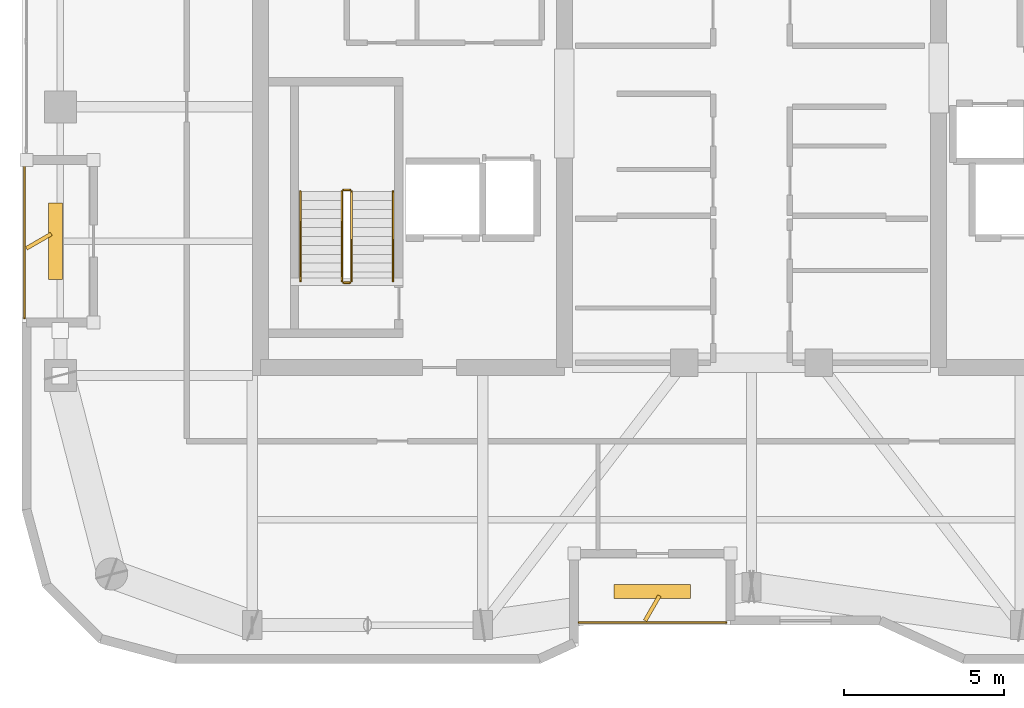
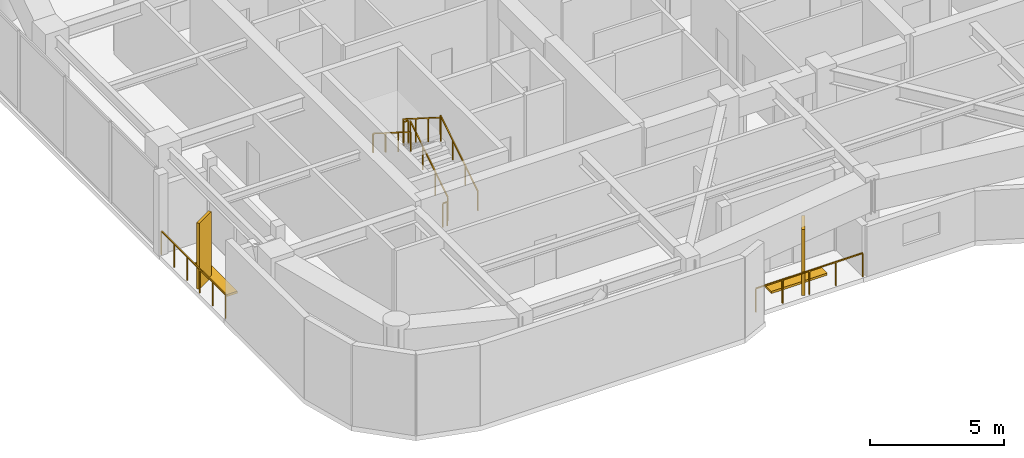
# One storey, part 14 of 15: 8 railings, 4 shading devices.
"""IFC4 building model written with IfcOpenShell, lengths in metres."""

from ifc_helpers import new_model, si_unit, direction, frame, origin, origin_2d, place, context, subcontext, project, spatial, rectangle, extrude, material, type_object, element, save


model = new_model("IFC4")

# Units and contexts
model_context = context("Model", 3, precision=1e-05, world=origin(), true_north=direction((0.0, 1.0)))
body_context = subcontext(model_context, "Body", "Model", "MODEL_VIEW")
ifc_project = project(units=[si_unit("LENGTHUNIT", "METRE"), si_unit("AREAUNIT", "SQUARE_METRE"), si_unit("VOLUMEUNIT", "CUBIC_METRE"), si_unit("PLANEANGLEUNIT", "RADIAN"), si_unit("MASSUNIT", "GRAM", prefix="KILO")], contexts=[model_context])

# Site, building, storey
site_placement = place(None, origin())
site = spatial("IfcSite", under=ifc_project, at=site_placement, CompositionType="ELEMENT")
building_placement = place(site_placement, origin())
building = spatial("IfcBuilding", under=site, at=building_placement, Name="Kiyonajd Concourse Tower", CompositionType="ELEMENT")
storey_placement = place(building_placement, frame((0.0, 0.0, 274.5)))
storey = spatial("IfcBuildingStorey", under=building, at=storey_placement, Name="L69", CompositionType="ELEMENT", Elevation=274.5)

# Railings
ifc_material_1 = material(Name="Thermally Broken Anodised Aluminium", Category="aluminium")
railing_type_1 = type_object("IfcRailingType", Name="RL-GRD-LOG", PredefinedType="GUARDRAIL", material=ifc_material_1)
railing_1_placement = place(storey_placement, frame((42.60009765625, 19.8798828125, 0.0)))
element("IfcRailing", 1, at=railing_1_placement, inside=storey, type_object=railing_type_1, Name="L69 Engawa Loggia Perimeter Guard LOG-S", PredefinedType="GUARDRAIL", context=body_context, shape_type="SweptSolid", body=[
    extrude(rectangle(XDim=0.048095703125, YDim=0.048095703125, at=origin_2d()), frame((0.0, 0.0, 1.076171875), z_axis=(1.0, 0.0, 0.0), x_axis=(0.0, 1.0, 0.0)), (0.0, 0.0, 1.0), 4.599853515625),
    extrude(rectangle(XDim=0.0419921875, YDim=0.0419921875, at=origin_2d()), origin(), (0.0, 0.0, 1.0), 1.052001953125),
    extrude(rectangle(XDim=0.0419921875, YDim=0.0419921875, at=origin_2d()), frame((1.14990234375, 0.0, 0.0)), (0.0, 0.0, 1.0), 1.052001953125),
    extrude(rectangle(XDim=0.0419921875, YDim=0.0419921875, at=origin_2d()), frame((2.2998046875, 0.0, 0.0)), (0.0, 0.0, 1.0), 1.052001953125),
    extrude(rectangle(XDim=0.0419921875, YDim=0.0419921875, at=origin_2d()), frame((3.449951171875, 0.0, 0.0)), (0.0, 0.0, 1.0), 1.052001953125),
    extrude(rectangle(XDim=0.0419921875, YDim=0.0419921875, at=origin_2d()), frame((4.599853515625, 0.0, 0.0)), (0.0, 0.0, 1.0), 1.052001953125),
])
railing_2_placement = place(storey_placement, frame((25.280029296875, 34.199951171875, 0.0)))
element("IfcRailing", 2, at=railing_2_placement, inside=storey, type_object=railing_type_1, Name="L69 Engawa Loggia Perimeter Guard LOG-W", PredefinedType="GUARDRAIL", context=body_context, shape_type="SweptSolid", body=[
    extrude(rectangle(XDim=0.048095703125, YDim=0.048095703125, at=origin_2d()), frame((0.0, 0.0, 1.076171875), z_axis=(0.0, -1.0, 0.0), x_axis=(1.0, 0.0, 0.0)), (0.0, 0.0, 1.0), 4.800048828125),
    extrude(rectangle(XDim=0.0419921875, YDim=0.0419921875, at=origin_2d()), origin(), (0.0, 0.0, 1.0), 1.052001953125),
    extrude(rectangle(XDim=0.0419921875, YDim=0.0419921875, at=origin_2d()), frame((0.0, -0.9599609375, 0.0)), (0.0, 0.0, 1.0), 1.052001953125),
    extrude(rectangle(XDim=0.0419921875, YDim=0.0419921875, at=origin_2d()), frame((0.0, -1.919921875, 0.0)), (0.0, 0.0, 1.0), 1.052001953125),
    extrude(rectangle(XDim=0.0419921875, YDim=0.0419921875, at=origin_2d()), frame((0.0, -2.880126953125, 0.0)), (0.0, 0.0, 1.0), 1.052001953125),
    extrude(rectangle(XDim=0.0419921875, YDim=0.0419921875, at=origin_2d()), frame((0.0, -3.840087890625, 0.0)), (0.0, 0.0, 1.0), 1.052001953125),
    extrude(rectangle(XDim=0.0419921875, YDim=0.0419921875, at=origin_2d()), frame((0.0, -4.800048828125, 0.0)), (0.0, 0.0, 1.0), 1.052001953125),
])
ifc_material_2 = material(Name="Steel ASTM A500 Grade C", Category="steel")
railing_type_2 = type_object("IfcRailingType", Name="RL-GRD-STR", PredefinedType="GUARDRAIL", material=ifc_material_2)
railing_3_placement = place(storey_placement, frame((35.5, 30.550048828125, 0.17724609375)))
element("IfcRailing", 3, at=railing_3_placement, inside=storey, type_object=railing_type_2, Name="L69 ST1 stair guard 1", PredefinedType="GUARDRAIL", context=body_context, shape_type="SweptSolid", body=[
    extrude(rectangle(XDim=0.048095703125, YDim=0.048095703125, at=origin_2d()), frame((0.0, 0.0, 1.076171875), z_axis=(0.0, 0.844908973607, 0.534910110503), x_axis=(-1.0, 0.0, 0.0)), (0.0, 0.0, 1.0), 3.31396484375),
    extrude(rectangle(XDim=0.0419921875, YDim=0.0419921875, at=origin_2d()), origin(), (0.0, 0.0, 1.0), 1.052001953125),
    extrude(rectangle(XDim=0.0419921875, YDim=0.0419921875, at=origin_2d()), frame((0.0, 0.933349609375, 0.5908203125)), (0.0, 0.0, 1.0), 1.052001953125),
    extrude(rectangle(XDim=0.0419921875, YDim=0.0419921875, at=origin_2d()), frame((0.0, 1.86669921875, 1.181884765625)), (0.0, 0.0, 1.0), 1.052001953125),
    extrude(rectangle(XDim=0.0419921875, YDim=0.0419921875, at=origin_2d()), frame((0.0, 2.800048828125, 1.772705078125)), (0.0, 0.0, 1.0), 1.052001953125),
])
railing_4_placement = place(storey_placement, frame((35.449951171875, 33.39990234375, 1.949951171875)))
element("IfcRailing", 4, at=railing_4_placement, inside=storey, type_object=railing_type_2, Name="L69 ST1 stair guard 2", PredefinedType="GUARDRAIL", context=body_context, shape_type="SweptSolid", body=[
    extrude(rectangle(XDim=0.048095703125, YDim=0.048095703125, at=origin_2d()), frame((0.0, 0.0, 1.076171875), z_axis=(-1.0, 0.0, 0.0), x_axis=(0.0, -1.0, 0.0)), (0.0, 0.0, 1.0), 0.199951171875),
    extrude(rectangle(XDim=0.0419921875, YDim=0.0419921875, at=origin_2d()), origin(), (0.0, 0.0, 1.0), 1.052001953125),
    extrude(rectangle(XDim=0.0419921875, YDim=0.0419921875, at=origin_2d()), frame((-0.199951171875, 0.0, 0.0)), (0.0, 0.0, 1.0), 1.052001953125),
])
railing_5_placement = place(storey_placement, frame((35.199951171875, 33.35009765625, 2.127197265625)))
element("IfcRailing", 5, at=railing_5_placement, inside=storey, type_object=railing_type_2, Name="L69 ST1 stair guard 3", PredefinedType="GUARDRAIL", context=body_context, shape_type="SweptSolid", body=[
    extrude(rectangle(XDim=0.048095703125, YDim=0.048095703125, at=origin_2d()), frame((0.0, 0.0, 1.076171875), z_axis=(0.0, -0.844908973607, 0.534910110503), x_axis=(1.0, 0.0, 0.0)), (0.0, 0.0, 1.0), 3.31396484375),
    extrude(rectangle(XDim=0.0419921875, YDim=0.0419921875, at=origin_2d()), origin(), (0.0, 0.0, 1.0), 1.052001953125),
    extrude(rectangle(XDim=0.0419921875, YDim=0.0419921875, at=origin_2d()), frame((0.0, -0.933349609375, 0.5908203125)), (0.0, 0.0, 1.0), 1.052001953125),
    extrude(rectangle(XDim=0.0419921875, YDim=0.0419921875, at=origin_2d()), frame((0.0, -1.86669921875, 1.181884765625)), (0.0, 0.0, 1.0), 1.052001953125),
    extrude(rectangle(XDim=0.0419921875, YDim=0.0419921875, at=origin_2d()), frame((0.0, -2.800048828125, 1.772705078125)), (0.0, 0.0, 1.0), 1.052001953125),
])
railing_6_placement = place(storey_placement, frame((35.449951171875, 30.5, 0.0)))
element("IfcRailing", 6, at=railing_6_placement, inside=storey, type_object=railing_type_2, Name="L69 ST1 stair guard 4", PredefinedType="GUARDRAIL", context=body_context, shape_type="SweptSolid", body=[
    extrude(rectangle(XDim=0.048095703125, YDim=0.048095703125, at=origin_2d()), frame((0.0, 0.0, 1.076171875), z_axis=(-1.0, 0.0, 0.0), x_axis=(0.0, -1.0, 0.0)), (0.0, 0.0, 1.0), 0.199951171875),
    extrude(rectangle(XDim=0.0419921875, YDim=0.0419921875, at=origin_2d()), origin(), (0.0, 0.0, 1.0), 1.052001953125),
    extrude(rectangle(XDim=0.0419921875, YDim=0.0419921875, at=origin_2d()), frame((-0.199951171875, 0.0, 0.0)), (0.0, 0.0, 1.0), 1.052001953125),
])
ifc_material_3 = material(Name="Brushed Stainless Steel Cab Assembly", Category="steel")
railing_type_3 = type_object("IfcRailingType", Name="RL-HND-900", PredefinedType="HANDRAIL", material=ifc_material_3)
railing_7_placement = place(storey_placement, frame((36.800048828125, 30.550048828125, 0.17724609375)))
element("IfcRailing", 7, at=railing_7_placement, inside=storey, type_object=railing_type_3, Name="L69 ST1 stair handrail 1", PredefinedType="HANDRAIL", context=body_context, shape_type="SweptSolid", body=[
    extrude(rectangle(XDim=0.048095703125, YDim=0.048095703125, at=origin_2d()), frame((0.0, 0.0, 0.8759765625), z_axis=(0.0, 0.844908973607, 0.534910110503), x_axis=(-1.0, 0.0, 0.0)), (0.0, 0.0, 1.0), 3.31396484375),
    extrude(rectangle(XDim=0.0419921875, YDim=0.0419921875, at=origin_2d()), origin(), (0.0, 0.0, 1.0), 0.851806640625),
    extrude(rectangle(XDim=0.0419921875, YDim=0.0419921875, at=origin_2d()), frame((0.0, 0.933349609375, 0.5908203125)), (0.0, 0.0, 1.0), 0.851806640625),
    extrude(rectangle(XDim=0.0419921875, YDim=0.0419921875, at=origin_2d()), frame((0.0, 1.86669921875, 1.181884765625)), (0.0, 0.0, 1.0), 0.851806640625),
    extrude(rectangle(XDim=0.0419921875, YDim=0.0419921875, at=origin_2d()), frame((0.0, 2.800048828125, 1.772705078125)), (0.0, 0.0, 1.0), 0.851806640625),
])
railing_8_placement = place(storey_placement, frame((33.89990234375, 33.35009765625, 2.127197265625)))
element("IfcRailing", 8, at=railing_8_placement, inside=storey, type_object=railing_type_3, Name="L69 ST1 stair handrail 2", PredefinedType="HANDRAIL", context=body_context, shape_type="SweptSolid", body=[
    extrude(rectangle(XDim=0.048095703125, YDim=0.048095703125, at=origin_2d()), frame((0.0, 0.0, 0.8759765625), z_axis=(0.0, -0.844908973607, 0.534910110503), x_axis=(1.0, 0.0, 0.0)), (0.0, 0.0, 1.0), 3.31396484375),
    extrude(rectangle(XDim=0.0419921875, YDim=0.0419921875, at=origin_2d()), origin(), (0.0, 0.0, 1.0), 0.851806640625),
    extrude(rectangle(XDim=0.0419921875, YDim=0.0419921875, at=origin_2d()), frame((0.0, -0.933349609375, 0.5908203125)), (0.0, 0.0, 1.0), 0.851806640625),
    extrude(rectangle(XDim=0.0419921875, YDim=0.0419921875, at=origin_2d()), frame((0.0, -1.86669921875, 1.181884765625)), (0.0, 0.0, 1.0), 0.851806640625),
    extrude(rectangle(XDim=0.0419921875, YDim=0.0419921875, at=origin_2d()), frame((0.0, -2.800048828125, 1.772705078125)), (0.0, 0.0, 1.0), 0.851806640625),
])

# Shading devices
ifc_material_4 = material(Name="Precast concrete C50/60", Category="concrete")
shading_device_type_1 = type_object("IfcShadingDeviceType", Name="SH-FIN-900", PredefinedType="USERDEFINED", material=ifc_material_4)
for number, where, z_axis, x_axis, name in (
    (9, (44.89990234375, 20.330078125, 0.0), (0.0, 0.0, 1.0), (0.5, 0.866025403784, 0.0), "L69 Angled Koshi Solar Fin LOG-S"),
    (10, (25.72998046875, 31.800048828125, 0.0), (0.0, 0.0, 1.0), (0.866025403784, 0.5, 0.0), "L69 Angled Koshi Solar Fin LOG-W"),
):
    element("IfcShadingDevice", number, at=place(storey_placement, frame(where, z_axis=z_axis, x_axis=x_axis)), inside=storey, type_object=shading_device_type_1, Name=name, ObjectType="FIN", PredefinedType="USERDEFINED", context=body_context, shape_type="SweptSolid", body=[
        extrude(rectangle(XDim=0.89990234375, YDim=0.1201171875, at=origin_2d()), origin(), (0.0, 0.0, 1.0), 3.0),
    ])
shading_device_type_2 = type_object("IfcShadingDeviceType", Name="SH-LVR-600", PredefinedType="JALOUSIE", material=ifc_material_1)
for number, where, z_axis, x_axis, name in (
    (11, (44.89990234375, 20.85009765625, 0.0), (0.0, 0.0, 1.0), (1.0, 0.0, 0.0), "L69 Loggia Threshold Louver LOG-S"),
    (12, (26.25, 31.800048828125, 0.0), (0.0, 0.0, 1.0), (0.0, 1.0, 0.0), "L69 Loggia Threshold Louver LOG-W"),
):
    element("IfcShadingDevice", number, at=place(storey_placement, frame(where, z_axis=z_axis, x_axis=x_axis)), inside=storey, type_object=shading_device_type_2, Name=name, PredefinedType="JALOUSIE", context=body_context, shape_type="SweptSolid", body=[
        extrude(rectangle(XDim=2.39990234375, YDim=0.449951171875, at=origin_2d()), origin(), (0.0, 0.0, 1.0), 0.10009765625),
    ])

save(model, "model.ifc")
